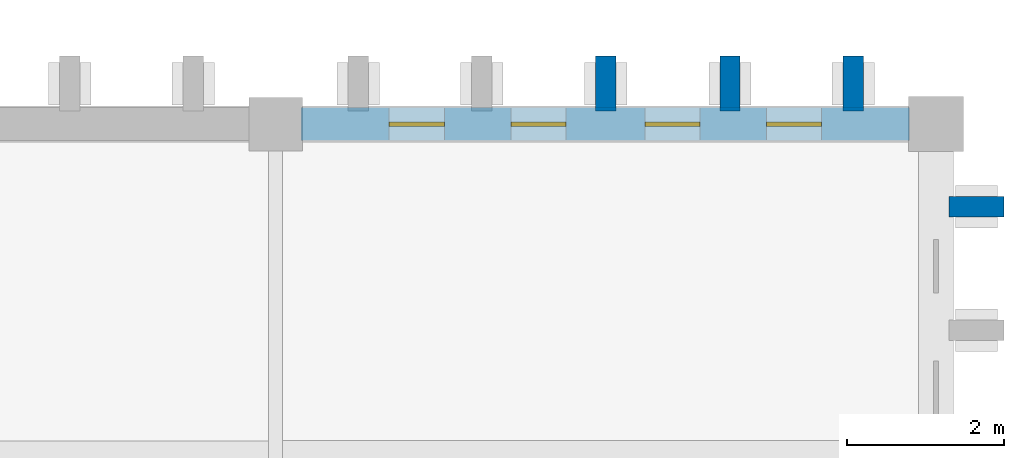
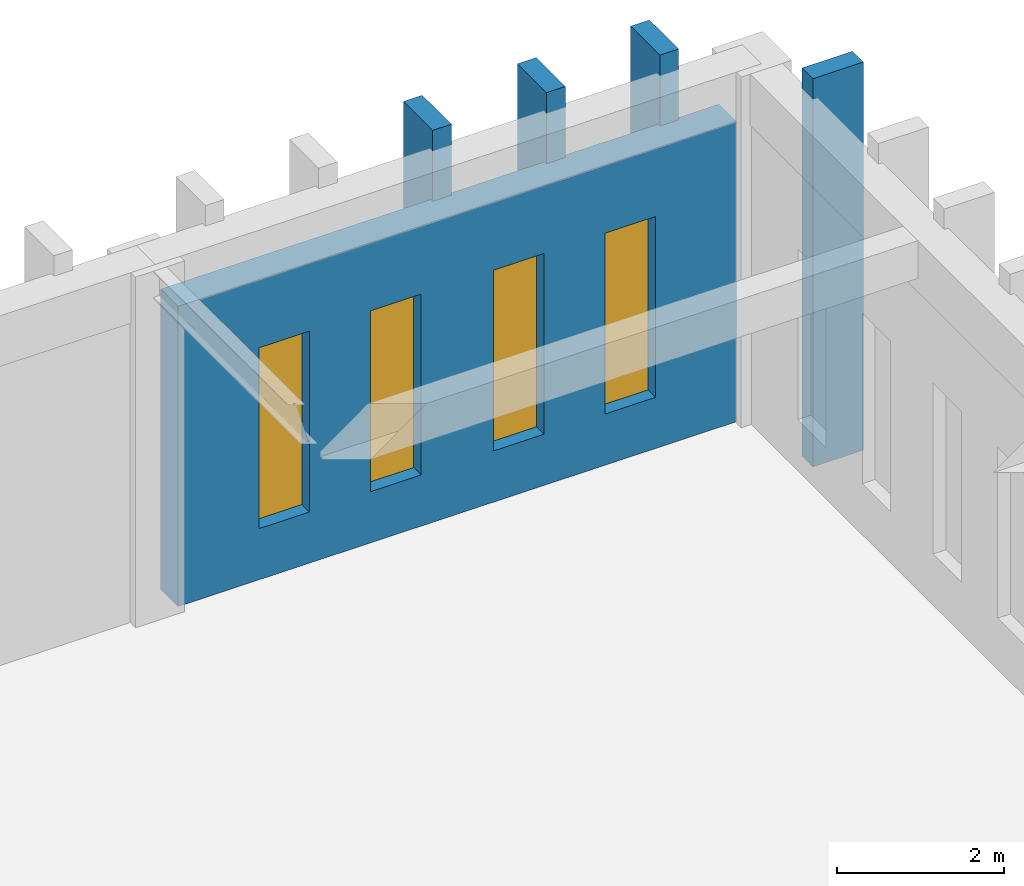
# One storey, part 128 of 143: 5 walls, 4 windows, 4 openings.
"""IFC4 building model written with IfcOpenShell, lengths in metres."""

import ifcopenshell
import ifcopenshell.guid

model = None  # the IFC model being written
_history = None  # IfcOwnerHistory: only IFC2X3 demands one
_inside = {}  # id of a spatial element -> (the spatial element, [elements in it])
_under = {}  # id of a project, library or spatial element -> (it, [spatial elements below it])
_declared = {}  # id of a project -> (the project, [libraries it declares])
_typed = {}  # id of a type object -> (the type object, [elements of that type])
_made_of = {}  # id of a material, layer set ... -> (it, [elements and type objects made of it])


def new_model(schema):
    """Start an empty IFC model of exactly this schema.

    Asked for "IFC4X3", IfcOpenShell would pick the latest addendum, in which some entities
    have other attributes; the version numbers below select the first issue.
    IFC2X3 requires an IfcOwnerHistory on every rooted entity: one is made here for all.
    """
    global model, _history
    if schema == "IFC4X3":
        model = ifcopenshell.file(schema_version=(4, 3, 0, 0))
    else:
        model = ifcopenshell.file(schema=schema)
    _inside.clear()
    _under.clear()
    _declared.clear()
    _typed.clear()
    _made_of.clear()
    _history = None
    if model.schema == "IFC2X3":
        org = make("IfcOrganization", Name="unknown")
        user = make(
            "IfcPersonAndOrganization",
            ThePerson=make("IfcPerson", FamilyName="unknown"),
            TheOrganization=org,
        )
        app = make(
            "IfcApplication",
            ApplicationDeveloper=org,
            Version="unknown",
            ApplicationFullName="unknown",
            ApplicationIdentifier="unknown",
        )
        _history = make(
            "IfcOwnerHistory",
            OwningUser=user,
            OwningApplication=app,
            ChangeAction="ADDED",
            CreationDate=0,
        )
    return model


def make(cls, **values):
    """One entity of the class cls with the attributes given. An attribute that is None is left unset."""
    return model.create_entity(
        cls, **{name: value for name, value in values.items() if value is not None}
    )


def rooted(cls, **values):
    """An entity with a GlobalId (a new one), such as an element, a storey or a relation."""
    return make(cls, GlobalId=ifcopenshell.guid.new(), OwnerHistory=_history, **values)


def si_unit(unit_type, name, prefix=None):
    """IfcSIUnit, for example si_unit("LENGTHUNIT", "METRE", prefix="MILLI")."""
    return make("IfcSIUnit", UnitType=unit_type, Prefix=prefix, Name=name)


def assignment(units):
    """IfcUnitAssignment: the units of a project."""
    return None if units is None else make("IfcUnitAssignment", Units=units)


def point(xyz):
    """IfcCartesianPoint."""
    return None if xyz is None else make("IfcCartesianPoint", Coordinates=xyz)


def direction(xyz):
    """IfcDirection."""
    return None if xyz is None else make("IfcDirection", DirectionRatios=xyz)


def frame(location, z_axis=None, x_axis=None):
    """IfcAxis2Placement3D, a coordinate frame: its origin and axes. An axis left out is left unset."""
    return make(
        "IfcAxis2Placement3D",
        Location=point(location),
        Axis=direction(z_axis),
        RefDirection=direction(x_axis),
    )


def frame_2d(location, x_axis=None):
    """IfcAxis2Placement2D, a coordinate frame in the plane: its origin and x axis."""
    return make(
        "IfcAxis2Placement2D", Location=point(location), RefDirection=direction(x_axis)
    )


def origin():
    """The frame at (0, 0, 0) with its axes left unset."""
    return frame((0.0, 0.0, 0.0))


def place(relative_to, where):
    """IfcLocalPlacement: puts the frame where relative to a parent placement (None: the world)."""
    return make(
        "IfcLocalPlacement", PlacementRelTo=relative_to, RelativePlacement=where
    )


def context(
    kind, dimensions, precision=None, world=None, true_north=None, identifier=None
):
    """IfcGeometricRepresentationContext, for example the 3D "Model" context."""
    return make(
        "IfcGeometricRepresentationContext",
        ContextIdentifier=identifier,
        ContextType=kind,
        CoordinateSpaceDimension=dimensions,
        Precision=precision,
        WorldCoordinateSystem=world,
        TrueNorth=true_north,
    )


def subcontext(parent, identifier, kind, view, scale=None):
    """IfcGeometricRepresentationSubContext, for example "Body" below "Model"."""
    return make(
        "IfcGeometricRepresentationSubContext",
        ContextIdentifier=identifier,
        ContextType=kind,
        ParentContext=parent,
        TargetScale=scale,
        TargetView=view,
    )


def project(units=None, contexts=None):
    """IfcProject with its units and contexts."""
    return rooted(
        "IfcProject",
        Name="project",
        RepresentationContexts=contexts,
        UnitsInContext=assignment(units),
    )


def spatial(cls, under=None, at=None, **own):
    """A site, building, storey or space (cls), placed at a placement, below another one or the project."""
    s = rooted(cls, ObjectPlacement=at, **own)
    if under is not None:
        _under.setdefault(under.id(), (under, []))[1].append(s)
    return s


def profile(cls, at=None, kind="AREA", **sizes):
    """A parametric profile (cls). Its sizes go by their IFC names, for example OverallWidth=200.0."""
    return make(cls, ProfileType=kind, Position=at, **sizes)


def rectangle(**sizes):
    """IfcRectangleProfileDef."""
    return profile("IfcRectangleProfileDef", **sizes)


def extrude(swept, where, along, depth):
    """IfcExtrudedAreaSolid: the profile swept, set in the frame where, extruded along a direction by depth."""
    return make(
        "IfcExtrudedAreaSolid",
        SweptArea=swept,
        Position=where,
        ExtrudedDirection=direction(along),
        Depth=depth,
    )


def shape(context_of_items, identifier, shape_type, items):
    """IfcShapeRepresentation: the items that make up one representation, for example the "Body"."""
    return make(
        "IfcShapeRepresentation",
        ContextOfItems=context_of_items,
        RepresentationIdentifier=identifier,
        RepresentationType=shape_type,
        Items=items,
    )


def material(Name=None, Category=None):
    """IfcMaterial."""
    return make("IfcMaterial", Name=Name, Category=Category)


def layer(
    of_material, thickness, ventilated=None, Name=None, Category=None, Priority=None
):
    """IfcMaterialLayer: one layer of a wall or slab, of a material (None: an air gap)."""
    return make(
        "IfcMaterialLayer",
        Material=of_material,
        LayerThickness=thickness,
        IsVentilated=ventilated,
        Name=Name,
        Category=Category,
        Priority=Priority,
    )


def layer_set(layers, Name=None):
    """IfcMaterialLayerSet."""
    return make("IfcMaterialLayerSet", MaterialLayers=layers, LayerSetName=Name)


def made_of(thing, what):
    """Note that an element or type object is made of a material, layer set ...; save() writes the relation."""
    if what is not None:
        _made_of.setdefault(what.id(), (what, []))[1].append(thing)
    return thing


def type_object(cls, material=None, **own):
    """A type object (cls), such as IfcWallType, which elements share."""
    return made_of(rooted(cls, **own), material)


def element(
    cls,
    number,
    at=None,
    inside=None,
    cuts=None,
    type_object=None,
    material=None,
    context=None,
    identifier="Body",
    shape_type=None,
    held_by="IfcProductDefinitionShape",
    body=None,
    shapes=None,
    **own,
):
    """One element of the class cls, such as IfcWall. Its Tag is "e" and its number.

    at: its placement. inside: the storey or other place that contains it. cuts: it is an
    opening in that element (IfcRelVoidsElement). A single representation is given by context,
    identifier, shape_type and body (its items); several are given by shapes. held_by: the class
    of the entity that holds the representations. save() writes the other relations.
    """
    e = rooted(cls, Tag="e%d" % number, ObjectPlacement=at, **own)
    if body is not None:
        shapes = [shape(context, identifier, shape_type, body)]
    if shapes is not None:
        e.Representation = make(held_by, Representations=shapes)
    if inside is not None:
        _inside.setdefault(inside.id(), (inside, []))[1].append(e)
    if cuts is not None:
        rooted(
            "IfcRelVoidsElement", RelatingBuildingElement=cuts, RelatedOpeningElement=e
        )
    if type_object is not None:
        _typed.setdefault(type_object.id(), (type_object, []))[1].append(e)
    return made_of(e, material)


def fill(opening, filler):
    """IfcRelFillsElement: the door or window that sits in an opening."""
    return rooted(
        "IfcRelFillsElement",
        RelatingOpeningElement=opening,
        RelatedBuildingElement=filler,
    )


def aggregate(whole, parts):
    """IfcRelAggregates: a whole, such as a stair, and the parts it consists of."""
    return rooted("IfcRelAggregates", RelatingObject=whole, RelatedObjects=parts)


def save(model, path):
    """Write the relations noted so far, then the file.

    IfcRelAggregates (storeys below a building ...), IfcRelContainedInSpatialStructure (elements
    in a storey), IfcRelDefinesByType, IfcRelAssociatesMaterial and IfcRelDeclares: one each for
    every whole, place, type object, material and project.
    """
    for whole, parts in _under.values():
        aggregate(whole, parts)
    for where, things in _inside.values():
        rooted(
            "IfcRelContainedInSpatialStructure",
            RelatedElements=things,
            RelatingStructure=where,
        )
    for kind, things in _typed.values():
        rooted("IfcRelDefinesByType", RelatedObjects=things, RelatingType=kind)
    for what, things in _made_of.values():
        rooted("IfcRelAssociatesMaterial", RelatedObjects=things, RelatingMaterial=what)
    for by, libraries in _declared.values():
        rooted("IfcRelDeclares", RelatingContext=by, RelatedDefinitions=libraries)
    model.write(path)


model = new_model("IFC4")

# Units and contexts
model_context = context("Model", 3, precision=1e-05, world=origin(), true_north=direction((0.0, 1.0)))
body_context = subcontext(model_context, "Body", "Model", "MODEL_VIEW")
ifc_project = project(units=[si_unit("LENGTHUNIT", "METRE"), si_unit("AREAUNIT", "SQUARE_METRE"), si_unit("VOLUMEUNIT", "CUBIC_METRE"), si_unit("PLANEANGLEUNIT", "RADIAN"), si_unit("MASSUNIT", "GRAM", prefix="KILO")], contexts=[model_context])

# Site, building, storey
site_placement = place(None, origin())
site = spatial("IfcSite", under=ifc_project, at=site_placement, CompositionType="ELEMENT")
building_placement = place(site_placement, origin())
building = spatial("IfcBuilding", under=site, at=building_placement, Name="Kveldsbrygga Polytechnic", CompositionType="ELEMENT")
storey_placement = place(building_placement, origin())
storey = spatial("IfcBuildingStorey", under=building, at=storey_placement, Name="L00", CompositionType="ELEMENT", Elevation=0.0)

# Wall, openings, windows
ifc_material_1 = material(Name="Fired clay brick masonry M10", Category="masonry")
ifc_layer_1 = layer(ifc_material_1, 0.419921875)
ifc_layer_set_1 = layer_set([ifc_layer_1], Name="Fired clay brick masonry M10")
wall_type_1 = type_object("IfcWallType", Name="EW-BRICK-420", PredefinedType="SOLIDWALL", material=ifc_layer_set_1)
wall_1_placement = place(storey_placement, frame((159.925048828125, 117.60009765625, 0.0), z_axis=(0.0, 0.0, 1.0), x_axis=(1.0, 0.0, 0.0)))
wall_1 = element("IfcWall", 1, at=wall_1_placement, inside=storey, type_object=wall_type_1, Name="Exterior Brick Wall EW-L00-X-19-14", PredefinedType="SOLIDWALL", context=body_context, shape_type="SweptSolid", body=[
    extrude(rectangle(XDim=7.739990234375, YDim=0.419921875, at=frame_2d((3.8701171875, 0.0))), origin(), (0.0, 0.0, 1.0), 4.39990234375),
])
opening_1_placement = place(wall_1_placement, frame((1.12060546875, 0.0, 0.75)))
opening_1 = element("IfcOpeningElement", 2, at=opening_1_placement, cuts=wall_1, Name="Opening W-43", PredefinedType="OPENING", context=body_context, shape_type="SweptSolid", body=[
    extrude(rectangle(XDim=0.699951171875, YDim=2.64990234375, at=frame_2d((0.35009765625, 1.324951171875))), frame((0.0, 0.219970703125, 0.0), z_axis=(0.0, -1.0, 0.0), x_axis=(1.0, 0.0, 0.0)), (0.0, 0.0, 1.0), 0.43994140625),
])
opening_2_placement = place(wall_1_placement, frame((2.668701171875, 0.0, 0.75)))
opening_2 = element("IfcOpeningElement", 3, at=opening_2_placement, cuts=wall_1, Name="Opening W-43", PredefinedType="OPENING", context=body_context, shape_type="SweptSolid", body=[
    extrude(rectangle(XDim=0.699951171875, YDim=2.64990234375, at=frame_2d((0.35009765625, 1.324951171875))), frame((0.0, 0.219970703125, 0.0), z_axis=(0.0, -1.0, 0.0), x_axis=(1.0, 0.0, 0.0)), (0.0, 0.0, 1.0), 0.43994140625),
])
opening_3_placement = place(wall_1_placement, frame((4.371337890625, 0.0, 0.75)))
opening_3 = element("IfcOpeningElement", 4, at=opening_3_placement, cuts=wall_1, Name="Opening W-43", PredefinedType="OPENING", context=body_context, shape_type="SweptSolid", body=[
    extrude(rectangle(XDim=0.699951171875, YDim=2.64990234375, at=frame_2d((0.35009765625, 1.324951171875))), frame((0.0, 0.219970703125, 0.0), z_axis=(0.0, -1.0, 0.0), x_axis=(1.0, 0.0, 0.0)), (0.0, 0.0, 1.0), 0.43994140625),
])
opening_4_placement = place(wall_1_placement, frame((5.91943359375, 0.0, 0.75)))
opening_4 = element("IfcOpeningElement", 5, at=opening_4_placement, cuts=wall_1, Name="Opening W-43", PredefinedType="OPENING", context=body_context, shape_type="SweptSolid", body=[
    extrude(rectangle(XDim=0.699951171875, YDim=2.64990234375, at=frame_2d((0.35009765625, 1.324951171875))), frame((0.0, 0.219970703125, 0.0), z_axis=(0.0, -1.0, 0.0), x_axis=(1.0, 0.0, 0.0)), (0.0, 0.0, 1.0), 0.43994140625),
])
ifc_material_2 = material(Name="Insulated triple low-E glass", Category="glass")
window_type = type_object("IfcWindowType", Name="WN-LANC-070x265", PartitioningType="DOUBLE_PANEL_VERTICAL", PredefinedType="WINDOW", material=ifc_material_2)
window_1_placement = place(opening_1_placement, origin())
window_1 = element("IfcWindow", 6, at=window_1_placement, inside=storey, type_object=window_type, Name="Gothic Lancet Window WIN-L00-X-19-14-1", OverallHeight=2.64990234375, OverallWidth=0.699951171875, PartitioningType="DOUBLE_PANEL_VERTICAL", PredefinedType="WINDOW", context=body_context, shape_type="SweptSolid", body=[
    extrude(rectangle(XDim=0.699951171875, YDim=2.64990234375, at=frame_2d((0.35009765625, 1.324951171875))), frame((0.0, 0.030029296875, 0.0), z_axis=(0.0, -1.0, 0.0), x_axis=(1.0, 0.0, 0.0)), (0.0, 0.0, 1.0), 0.06005859375),
])
fill(opening_1, window_1)
window_2_placement = place(opening_2_placement, origin())
window_2 = element("IfcWindow", 7, at=window_2_placement, inside=storey, type_object=window_type, Name="Gothic Lancet Window WIN-L00-X-19-14-2", OverallHeight=2.64990234375, OverallWidth=0.699951171875, PartitioningType="DOUBLE_PANEL_VERTICAL", PredefinedType="WINDOW", context=body_context, shape_type="SweptSolid", body=[
    extrude(rectangle(XDim=0.699951171875, YDim=2.64990234375, at=frame_2d((0.35009765625, 1.324951171875))), frame((0.0, 0.030029296875, 0.0), z_axis=(0.0, -1.0, 0.0), x_axis=(1.0, 0.0, 0.0)), (0.0, 0.0, 1.0), 0.06005859375),
])
fill(opening_2, window_2)
window_3_placement = place(opening_3_placement, origin())
window_3 = element("IfcWindow", 8, at=window_3_placement, inside=storey, type_object=window_type, Name="Gothic Lancet Window WIN-L00-X-19-14-3", OverallHeight=2.64990234375, OverallWidth=0.699951171875, PartitioningType="DOUBLE_PANEL_VERTICAL", PredefinedType="WINDOW", context=body_context, shape_type="SweptSolid", body=[
    extrude(rectangle(XDim=0.699951171875, YDim=2.64990234375, at=frame_2d((0.35009765625, 1.324951171875))), frame((0.0, 0.030029296875, 0.0), z_axis=(0.0, -1.0, 0.0), x_axis=(1.0, 0.0, 0.0)), (0.0, 0.0, 1.0), 0.06005859375),
])
fill(opening_3, window_3)
window_4_placement = place(opening_4_placement, origin())
window_4 = element("IfcWindow", 9, at=window_4_placement, inside=storey, type_object=window_type, Name="Gothic Lancet Window WIN-L00-X-19-14-4", OverallHeight=2.64990234375, OverallWidth=0.699951171875, PartitioningType="DOUBLE_PANEL_VERTICAL", PredefinedType="WINDOW", context=body_context, shape_type="SweptSolid", body=[
    extrude(rectangle(XDim=0.699951171875, YDim=2.64990234375, at=frame_2d((0.35009765625, 1.324951171875))), frame((0.0, 0.030029296875, 0.0), z_axis=(0.0, -1.0, 0.0), x_axis=(1.0, 0.0, 0.0)), (0.0, 0.0, 1.0), 0.06005859375),
])
fill(opening_4, window_4)

# Walls
ifc_layer_2 = layer(ifc_material_1, 0.260009765625)
ifc_layer_set_2 = layer_set([ifc_layer_2], Name="Fired clay brick masonry M10")
wall_type_2 = type_object("IfcWallType", Name="EW-BUTT-260", PredefinedType="SOLIDWALL", material=ifc_layer_set_2)
for number, where, z_axis, x_axis, name in (
    (10, (163.800048828125, 117.764892578125, -0.25), (0.0, 0.0, 1.0), (0.0, 1.0, 0.0), "Gothic Brick Buttress Pier BUTT-L00-X-19-14-3"),
    (11, (165.3798828125, 117.764892578125, -0.25), (0.0, 0.0, 1.0), (0.0, 1.0, 0.0), "Gothic Brick Buttress Pier BUTT-L00-X-19-14-4"),
    (12, (166.949951171875, 117.764892578125, -0.25), (0.0, 0.0, 1.0), (0.0, 1.0, 0.0), "Gothic Brick Buttress Pier BUTT-L00-X-19-14-5"),
):
    element("IfcWall", number, at=place(storey_placement, frame(where, z_axis=z_axis, x_axis=x_axis)), inside=storey, type_object=wall_type_2, Name=name, PredefinedType="SOLIDWALL", context=body_context, shape_type="SweptSolid", body=[
        extrude(rectangle(XDim=0.7001953125, YDim=0.260009765625, at=frame_2d((0.35009765625, 0.0))), origin(), (0.0, 0.0, 1.0), 5.68994140625),
    ])
wall_2_placement = place(storey_placement, frame((168.1650390625, 116.550048828125, -0.25), z_axis=(0.0, 0.0, 1.0), x_axis=(1.0, 0.0, 0.0)))
element("IfcWall", 13, at=wall_2_placement, inside=storey, type_object=wall_type_2, Name="Gothic Brick Buttress Pier BUTT-L00-Y-20-13-5", PredefinedType="SOLIDWALL", context=body_context, shape_type="SweptSolid", body=[
    extrude(rectangle(XDim=0.699951171875, YDim=0.260009765625, at=frame_2d((0.35009765625, 0.0))), origin(), (0.0, 0.0, 1.0), 5.68994140625),
])

save(model, "model.ifc")
